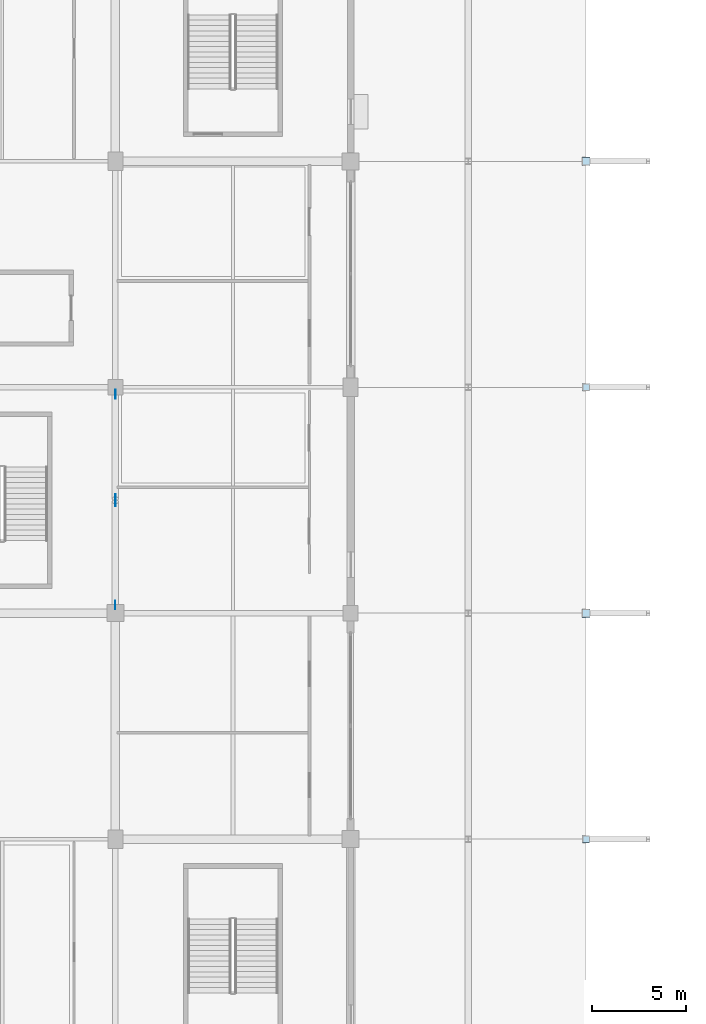
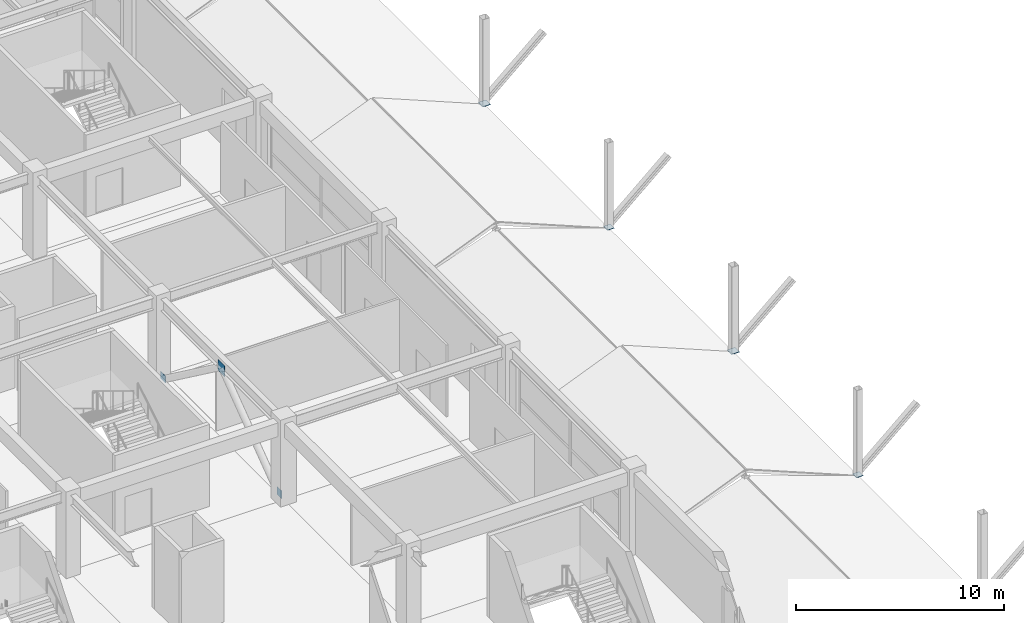
# One storey, part 63 of 116: 7 plates.
"""IFC4 building model written with IfcOpenShell, lengths in metres."""

from ifc_helpers import new_model, si_unit, direction, frame, origin, origin_2d, place, context, subcontext, project, spatial, rectangle, extrude, material, layer, layer_set, type_object, element, save


model = new_model("IFC4")

# Units and contexts
model_context = context("Model", 3, precision=1e-05, world=origin(), true_north=direction((0.0, 1.0)))
body_context = subcontext(model_context, "Body", "Model", "MODEL_VIEW")
ifc_project = project(units=[si_unit("LENGTHUNIT", "METRE"), si_unit("AREAUNIT", "SQUARE_METRE"), si_unit("VOLUMEUNIT", "CUBIC_METRE"), si_unit("PLANEANGLEUNIT", "RADIAN"), si_unit("MASSUNIT", "GRAM", prefix="KILO")], contexts=[model_context])

# Site, building, storey
site_placement = place(None, origin())
site = spatial("IfcSite", under=ifc_project, at=site_placement, CompositionType="ELEMENT")
building_placement = place(site_placement, origin())
building = spatial("IfcBuilding", under=site, at=building_placement, Name="Kazenohara Klinker Stadium", CompositionType="ELEMENT")
storey_placement = place(building_placement, frame((0.0, 0.0, 10.199951171875)))
storey = spatial("IfcBuildingStorey", under=building, at=storey_placement, Name="L02", CompositionType="ELEMENT", Elevation=10.199951171875)

# Plates
ifc_material = material(Name="Steel S355", Category="steel")
ifc_layer_1 = layer(ifc_material, 0.02001953125)
ifc_layer_set_1 = layer_set([ifc_layer_1], Name="Steel S355")
plate_type_1 = type_object("IfcPlateType", Name="PLT-GP01", PredefinedType="USERDEFINED", material=ifc_layer_set_1)
plate_1_placement = place(storey_placement, frame((24.0, 96.429931640625, -0.059814453125), z_axis=(0.0, 0.0, 1.0), x_axis=(1.0, 0.0, 0.0)))
element("IfcPlate", 1, at=plate_1_placement, inside=storey, type_object=plate_type_1, Name="Chevron brace gusset plate GP01 L02 3/J BOT-A", ObjectType="GUSSET PLATE", PredefinedType="USERDEFINED", context=body_context, shape_type="SweptSolid", body=[
    extrude(rectangle(XDim=0.02001953125, YDim=0.4599609375, at=origin_2d()), origin(), (0.0, 0.0, 1.0), 0.4599609375),
])
plate_2_placement = place(storey_placement, frame((49.0, 120.0, -0.010009765625), z_axis=(0.0, 0.0, 1.0), x_axis=(1.0, 0.0, 0.0)))
element("IfcPlate", 2, at=plate_2_placement, inside=storey, type_object=plate_type_1, Name="Hollow column end-cap plate GP01 L02 5/L", ObjectType="GUSSET PLATE", PredefinedType="USERDEFINED", context=body_context, shape_type="SweptSolid", body=[
    extrude(rectangle(XDim=0.43994140625, YDim=0.43994140625, at=origin_2d()), origin(), (0.0, 0.0, 1.0), 0.02001953125),
])
ifc_layer_2 = layer(ifc_material, 0.02197265625)
ifc_layer_set_2 = layer_set([ifc_layer_2], Name="Steel S355")
plate_type_2 = type_object("IfcPlateType", Name="PLT-GP02", PredefinedType="USERDEFINED", material=ifc_layer_set_2)
plate_3_placement = place(storey_placement, frame((24.0, 107.6201171875, -0.039794921875), z_axis=(0.0, 0.0, 1.0), x_axis=(1.0, 0.0, 0.0)))
element("IfcPlate", 3, at=plate_3_placement, inside=storey, type_object=plate_type_2, Name="Chevron brace gusset plate GP02 L02 3/J BOT-B", ObjectType="GUSSET PLATE", PredefinedType="USERDEFINED", context=body_context, shape_type="SweptSolid", body=[
    extrude(rectangle(XDim=0.02197265625, YDim=0.47998046875, at=origin_2d()), origin(), (0.0, 0.0, 1.0), 0.419921875),
])
plate_4_placement = place(storey_placement, frame((49.0, 84.0, -0.010986328125), z_axis=(0.0, 0.0, 1.0), x_axis=(1.0, 0.0, 0.0)))
element("IfcPlate", 4, at=plate_4_placement, inside=storey, type_object=plate_type_2, Name="Hollow column end-cap plate GP02 L02 5/H", ObjectType="GUSSET PLATE", PredefinedType="USERDEFINED", context=body_context, shape_type="SweptSolid", body=[
    extrude(rectangle(XDim=0.389892578125, YDim=0.389892578125, at=origin_2d()), origin(), (0.0, 0.0, 1.0), 0.02197265625),
])
ifc_layer_3 = layer(ifc_material, 0.02392578125)
ifc_layer_set_3 = layer_set([ifc_layer_3], Name="Steel S355")
plate_type_3 = type_object("IfcPlateType", Name="PLT-GP03", PredefinedType="USERDEFINED", material=ifc_layer_set_3)
plate_5_placement = place(storey_placement, frame((49.0, 96.0, -0.011962890625), z_axis=(0.0, 0.0, 1.0), x_axis=(1.0, 0.0, 0.0)))
element("IfcPlate", 5, at=plate_5_placement, inside=storey, type_object=plate_type_3, Name="Hollow column end-cap plate GP03 L02 5/J", ObjectType="GUSSET PLATE", PredefinedType="USERDEFINED", context=body_context, shape_type="SweptSolid", body=[
    extrude(rectangle(XDim=0.43994140625, YDim=0.43994140625, at=origin_2d()), origin(), (0.0, 0.0, 1.0), 0.02392578125),
])
ifc_layer_4 = layer(ifc_material, 0.02490234375)
ifc_layer_set_4 = layer_set([ifc_layer_4], Name="Steel S355")
plate_type_4 = type_object("IfcPlateType", Name="PLT-GP04", PredefinedType="USERDEFINED", material=ifc_layer_set_4)
plate_6_placement = place(storey_placement, frame((49.0, 108.0, -0.012451171875), z_axis=(0.0, 0.0, 1.0), x_axis=(1.0, 0.0, 0.0)))
element("IfcPlate", 6, at=plate_6_placement, inside=storey, type_object=plate_type_4, Name="Hollow column end-cap plate GP04 L02 5/K", ObjectType="GUSSET PLATE", PredefinedType="USERDEFINED", context=body_context, shape_type="SweptSolid", body=[
    extrude(rectangle(XDim=0.389892578125, YDim=0.389892578125, at=origin_2d()), origin(), (0.0, 0.0, 1.0), 0.02490234375),
])
ifc_layer_5 = layer(ifc_material, 0.028076171875)
ifc_layer_set_5 = layer_set([ifc_layer_5], Name="Steel S355")
plate_type_5 = type_object("IfcPlateType", Name="PLT-GP06", PredefinedType="USERDEFINED", material=ifc_layer_set_5)
plate_7_placement = place(storey_placement, frame((24.0, 102.0, 3.80029296875), z_axis=(0.0, 0.0, 1.0), x_axis=(1.0, 0.0, 0.0)))
element("IfcPlate", 7, at=plate_7_placement, inside=storey, type_object=plate_type_5, Name="Chevron brace gusset plate GP06 L02 3/J TOP", ObjectType="GUSSET PLATE", PredefinedType="USERDEFINED", context=body_context, shape_type="SweptSolid", body=[
    extrude(rectangle(XDim=0.028076171875, YDim=0.639892578125, at=origin_2d()), origin(), (0.0, 0.0, 1.0), 0.639892578125),
])

save(model, "model.ifc")
